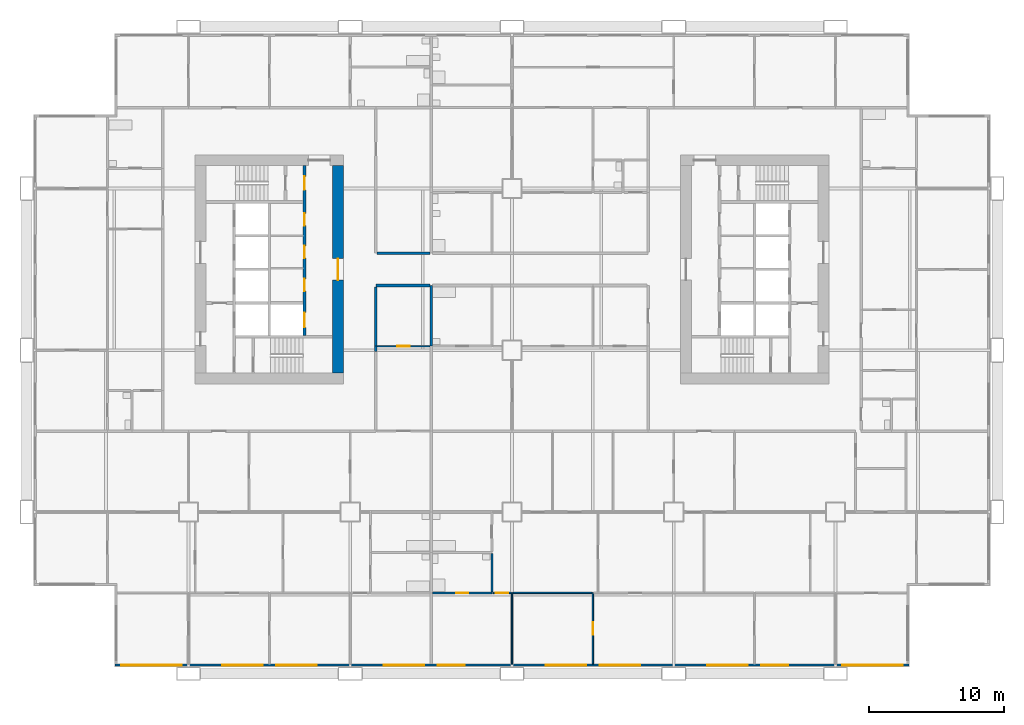
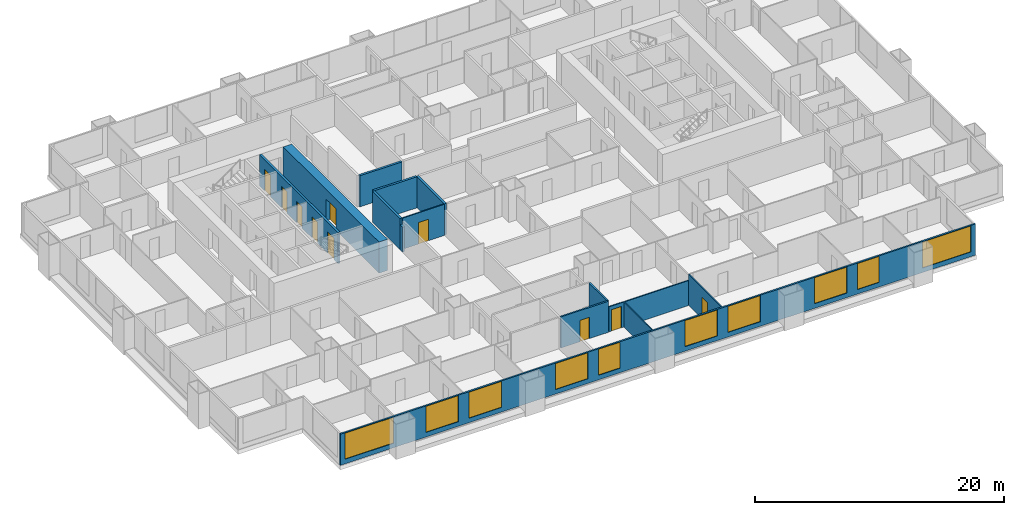
# One storey, part 4 of 13: 15 walls, 10 doors, 10 windows, 20 openings.
"""IFC4 building model written with IfcOpenShell, lengths in metres."""

from ifc_helpers import new_model, si_unit, direction, frame, frame_2d, origin, place, context, subcontext, project, spatial, rectangle, extrude, material, layer, layer_set, type_object, element, fill, save


model = new_model("IFC4")

# Units and contexts
model_context = context("Model", 3, precision=1e-05, world=origin(), true_north=direction((0.0, 1.0)))
body_context = subcontext(model_context, "Body", "Model", "MODEL_VIEW")
ifc_project = project(units=[si_unit("LENGTHUNIT", "METRE"), si_unit("AREAUNIT", "SQUARE_METRE"), si_unit("VOLUMEUNIT", "CUBIC_METRE"), si_unit("PLANEANGLEUNIT", "RADIAN"), si_unit("MASSUNIT", "GRAM", prefix="KILO")], contexts=[model_context])

# Site, building, storey
site_placement = place(None, origin())
site = spatial("IfcSite", under=ifc_project, at=site_placement, CompositionType="ELEMENT")
building_placement = place(site_placement, origin())
building = spatial("IfcBuilding", under=site, at=building_placement, Name="Kitamizu Gate Tower and Museum", CompositionType="ELEMENT")
storey_placement = place(building_placement, frame((0.0, 0.0, 47.25)))
storey = spatial("IfcBuildingStorey", under=building, at=storey_placement, Name="L10", CompositionType="ELEMENT", Elevation=47.25)

# Wall, opening, door
ifc_material_1 = material(Name="Concrete Fc60", Category="concrete")
ifc_layer_1 = layer(ifc_material_1, 0.800048828125)
ifc_layer_set_1 = layer_set([ifc_layer_1], Name="Concrete Fc60")
wall_type_1 = type_object("IfcWallType", Name="Core wall 800", PredefinedType="SHEAR", material=ifc_layer_set_1)
wall_1_placement = place(storey_placement, frame((23.10009765625, 22.300048828125, 0.0), z_axis=(0.0, 0.0, 1.0), x_axis=(0.0, 1.0, 0.0)))
wall_1 = element("IfcWall", 1, at=wall_1_placement, inside=storey, type_object=wall_type_1, Name="Core wall WARC", PredefinedType="SHEAR", context=body_context, shape_type="SweptSolid", body=[
    extrude(rectangle(XDim=15.39990234375, YDim=0.800048828125, at=frame_2d((7.699951171875, 0.0))), origin(), (0.0, 0.0, 1.0), 3.050048828125),
])
opening_1_placement = place(wall_1_placement, frame((6.89990234375, 0.0, 0.0)))
opening_1 = element("IfcOpeningElement", 2, at=opening_1_placement, cuts=wall_1, Name="Opening L10-087", PredefinedType="OPENING", context=body_context, shape_type="SweptSolid", body=[
    extrude(rectangle(XDim=1.60009765625, YDim=2.10009765625, at=frame_2d((0.800048828125, 1.050048828125))), frame((0.0, 0.41015625, 0.0), z_axis=(0.0, -1.0, 0.0), x_axis=(1.0, 0.0, 0.0)), (0.0, 0.0, 1.0), 0.820068359375),
])
ifc_material_2 = material(Name="Timber door set", Category="wood")
door_type_1 = type_object("IfcDoorType", Name="Entrance door 1600", OperationType="DOUBLE_DOOR_SINGLE_SWING", PredefinedType="DOOR", material=ifc_material_2)
door_1_placement = place(opening_1_placement, origin())
door_1 = element("IfcDoor", 3, at=door_1_placement, inside=storey, type_object=door_type_1, Name="Lobby door L10-087", OperationType="DOUBLE_DOOR_SINGLE_SWING", OverallHeight=2.10009765625, OverallWidth=1.60009765625, PredefinedType="DOOR", context=body_context, shape_type="SweptSolid", body=[
    extrude(rectangle(XDim=1.60009765625, YDim=2.10009765625, at=frame_2d((0.800048828125, 1.050048828125))), frame((0.0, 0.02490234375, 0.0), z_axis=(0.0, -1.0, 0.0), x_axis=(1.0, 0.0, 0.0)), (0.0, 0.0, 1.0), 0.050048828125),
])
fill(opening_1, door_1)

ifc_material_3 = material(Name="Gypsum board on galvanised stud")
ifc_layer_2 = layer(ifc_material_3, 0.10009765625)
ifc_layer_set_2 = layer_set([ifc_layer_2], Name="Gypsum board on galvanised stud")
wall_type_2 = type_object("IfcWallType", Name="Partition 100 NOT RATED", PredefinedType="PARTITIONING", material=ifc_layer_set_2)
wall_2_placement = place(storey_placement, frame((29.89990234375, 24.300048828125, 0.0), z_axis=(0.0, 0.0, 1.0), x_axis=(-1.0, 0.0, 0.0)))
wall_2 = element("IfcWall", 4, at=wall_2_placement, inside=storey, type_object=wall_type_2, Name="Partition L10-039", PredefinedType="PARTITIONING", context=body_context, shape_type="SweptSolid", body=[
    extrude(rectangle(XDim=3.89990234375, YDim=0.10009765625, at=frame_2d((1.949951171875, 0.0))), origin(), (0.0, 0.0, 1.0), 3.050048828125),
])
opening_2_placement = place(wall_2_placement, frame((1.5, 0.0, 0.0)))
opening_2 = element("IfcOpeningElement", 5, at=opening_2_placement, cuts=wall_2, Name="Opening L10-016", PredefinedType="OPENING", context=body_context, shape_type="SweptSolid", body=[
    extrude(rectangle(XDim=0.89990234375, YDim=2.10009765625, at=frame_2d((0.449951171875, 1.050048828125))), frame((0.0, 0.06005859375, 0.0), z_axis=(0.0, -1.0, 0.0), x_axis=(1.0, 0.0, 0.0)), (0.0, 0.0, 1.0), 0.1201171875),
])
ifc_material_4 = material(Name="Timber door set", Category="wood")
door_type_2 = type_object("IfcDoorType", Name="Room door 900", OperationType="NOTDEFINED", PredefinedType="DOOR", material=ifc_material_4)
door_2_placement = place(opening_2_placement, frame((0.89990234375, 0.0, 0.0), x_axis=(-1.0, 0.0, 0.0)))
door_2 = element("IfcDoor", 6, at=door_2_placement, inside=storey, type_object=door_type_2, Name="Door L10-016", OperationType="SINGLE_SWING_RIGHT", OverallHeight=2.10009765625, OverallWidth=0.89990234375, PredefinedType="DOOR", context=body_context, shape_type="SweptSolid", body=[
    extrude(rectangle(XDim=0.89990234375, YDim=2.10009765625, at=frame_2d((0.449951171875, 1.050048828125))), frame((0.0, 0.02490234375, 0.0), z_axis=(0.0, -1.0, 0.0), x_axis=(1.0, 0.0, 0.0)), (0.0, 0.0, 1.0), 0.050048828125),
])
fill(opening_2, door_2)

# Wall
wall_3_placement = place(storey_placement, frame((36.0, 0.719970703125, 0.0), z_axis=(0.0, 0.0, 1.0), x_axis=(0.0, 1.0, 0.0)))
element("IfcWall", 7, at=wall_3_placement, inside=storey, type_object=wall_type_2, Name="Partition L10-046", PredefinedType="PARTITIONING", context=body_context, shape_type="SweptSolid", body=[
    extrude(rectangle(XDim=5.280029296875, YDim=0.10009765625, at=frame_2d((2.64013671875, 0.0))), origin(), (0.0, 0.0, 1.0), 2.449951171875),
])

# Wall, opening, door
wall_4_placement = place(storey_placement, frame((35.949951171875, 6.0, 0.0), z_axis=(0.0, 0.0, 1.0), x_axis=(-1.0, 0.0, 0.0)))
wall_4 = element("IfcWall", 8, at=wall_4_placement, inside=storey, type_object=wall_type_2, Name="Partition L10-048", PredefinedType="PARTITIONING", context=body_context, shape_type="SweptSolid", body=[
    extrude(rectangle(XDim=1.375, YDim=0.10009765625, at=frame_2d((0.6875, 0.0))), origin(), (0.0, 0.0, 1.0), 2.449951171875),
])
opening_3_placement = place(wall_4_placement, frame((0.237548828125, 0.0, 0.0)))
opening_3 = element("IfcOpeningElement", 9, at=opening_3_placement, cuts=wall_4, Name="Opening L10-024", PredefinedType="OPENING", context=body_context, shape_type="SweptSolid", body=[
    extrude(rectangle(XDim=0.89990234375, YDim=2.10009765625, at=frame_2d((0.449951171875, 1.050048828125))), frame((0.0, 0.06005859375, 0.0), z_axis=(0.0, -1.0, 0.0), x_axis=(1.0, 0.0, 0.0)), (0.0, 0.0, 1.0), 0.1201171875),
])
door_3_placement = place(opening_3_placement, origin())
door_3 = element("IfcDoor", 10, at=door_3_placement, inside=storey, type_object=door_type_2, Name="Door L10-024", OperationType="SINGLE_SWING_RIGHT", OverallHeight=2.10009765625, OverallWidth=0.89990234375, PredefinedType="DOOR", context=body_context, shape_type="SweptSolid", body=[
    extrude(rectangle(XDim=0.89990234375, YDim=2.10009765625, at=frame_2d((0.449951171875, 1.050048828125))), frame((0.0, 0.02490234375, 0.0), z_axis=(0.0, -1.0, 0.0), x_axis=(1.0, 0.0, 0.0)), (0.0, 0.0, 1.0), 0.050048828125),
])
fill(opening_3, door_3)

wall_5_placement = place(storey_placement, frame((42.0, 0.719970703125, 0.0), z_axis=(0.0, 0.0, 1.0), x_axis=(0.0, 1.0, 0.0)))
wall_5 = element("IfcWall", 11, at=wall_5_placement, inside=storey, type_object=wall_type_2, Name="Partition L10-049", PredefinedType="PARTITIONING", context=body_context, shape_type="SweptSolid", body=[
    extrude(rectangle(XDim=5.280029296875, YDim=0.10009765625, at=frame_2d((2.64013671875, 0.0))), origin(), (0.0, 0.0, 1.0), 3.050048828125),
])
opening_4_placement = place(wall_5_placement, frame((2.18994140625, 0.0, 0.0)))
opening_4 = element("IfcOpeningElement", 12, at=opening_4_placement, cuts=wall_5, Name="Opening L10-023", PredefinedType="OPENING", context=body_context, shape_type="SweptSolid", body=[
    extrude(rectangle(XDim=0.89990234375, YDim=2.10009765625, at=frame_2d((0.449951171875, 1.050048828125))), frame((0.0, 0.06005859375, 0.0), z_axis=(0.0, -1.0, 0.0), x_axis=(1.0, 0.0, 0.0)), (0.0, 0.0, 1.0), 0.1201171875),
])
door_4_placement = place(opening_4_placement, origin())
door_4 = element("IfcDoor", 13, at=door_4_placement, inside=storey, type_object=door_type_2, Name="Door L10-023", OperationType="SINGLE_SWING_LEFT", OverallHeight=2.10009765625, OverallWidth=0.89990234375, PredefinedType="DOOR", context=body_context, shape_type="SweptSolid", body=[
    extrude(rectangle(XDim=0.89990234375, YDim=2.10009765625, at=frame_2d((0.449951171875, 1.050048828125))), frame((0.0, 0.02490234375, 0.0), z_axis=(0.0, -1.0, 0.0), x_axis=(1.0, 0.0, 0.0)), (0.0, 0.0, 1.0), 0.050048828125),
])
fill(opening_4, door_4)

# Wall
wall_6_placement = place(storey_placement, frame((41.949951171875, 6.0, 0.0), z_axis=(0.0, 0.0, 1.0), x_axis=(-1.0, 0.0, 0.0)))
element("IfcWall", 14, at=wall_6_placement, inside=storey, type_object=wall_type_2, Name="Partition L10-050", PredefinedType="PARTITIONING", context=body_context, shape_type="SweptSolid", body=[
    extrude(rectangle(XDim=5.89990234375, YDim=0.10009765625, at=frame_2d((2.949951171875, 0.0))), origin(), (0.0, 0.0, 1.0), 2.449951171875),
])

# Wall, opening, door
ifc_material_5 = material(Name="Gypsum board on galvanised stud")
ifc_layer_3 = layer(ifc_material_5, 0.14990234375)
ifc_layer_set_3 = layer_set([ifc_layer_3], Name="Gypsum board on galvanised stud")
wall_type_3 = type_object("IfcWallType", Name="Partition 150", PredefinedType="PARTITIONING", material=ifc_layer_set_3)
wall_7_placement = place(storey_placement, frame((34.5, 6.0, 0.0), z_axis=(0.0, 0.0, 1.0), x_axis=(-1.0, 0.0, 0.0)))
wall_7 = element("IfcWall", 15, at=wall_7_placement, inside=storey, type_object=wall_type_3, Name="Partition L10-047", PredefinedType="PARTITIONING", context=body_context, shape_type="SweptSolid", body=[
    extrude(rectangle(XDim=4.39990234375, YDim=0.14990234375, at=frame_2d((2.199951171875, 0.0))), origin(), (0.0, 0.0, 1.0), 3.050048828125),
])
opening_5_placement = place(wall_7_placement, frame((1.75, 0.0, 0.0)))
opening_5 = element("IfcOpeningElement", 16, at=opening_5_placement, cuts=wall_7, Name="Opening L10-026", PredefinedType="OPENING", context=body_context, shape_type="SweptSolid", body=[
    extrude(rectangle(XDim=0.89990234375, YDim=2.10009765625, at=frame_2d((0.449951171875, 1.050048828125))), frame((0.0, 0.0849609375, 0.0), z_axis=(0.0, -1.0, 0.0), x_axis=(1.0, 0.0, 0.0)), (0.0, 0.0, 1.0), 0.169921875),
])
ifc_material_6 = material(Name="Timber door set", Category="wood")
door_type_3 = type_object("IfcDoorType", Name="Bathroom door 900", OperationType="NOTDEFINED", PredefinedType="DOOR", material=ifc_material_6)
door_5_placement = place(opening_5_placement, frame((0.89990234375, 0.0, 0.0), x_axis=(-1.0, 0.0, 0.0)))
door_5 = element("IfcDoor", 17, at=door_5_placement, inside=storey, type_object=door_type_3, Name="Bathroom door L10-026", OperationType="SINGLE_SWING_RIGHT", OverallHeight=2.10009765625, OverallWidth=0.89990234375, PredefinedType="DOOR", context=body_context, shape_type="SweptSolid", body=[
    extrude(rectangle(XDim=0.89990234375, YDim=2.10009765625, at=frame_2d((0.449951171875, 1.050048828125))), frame((0.0, 0.02490234375, 0.0), z_axis=(0.0, -1.0, 0.0), x_axis=(1.0, 0.0, 0.0)), (0.0, 0.0, 1.0), 0.050048828125),
])
fill(opening_5, door_5)

# Walls
wall_8_placement = place(storey_placement, frame((34.5, 6.074951171875, 0.0), z_axis=(0.0, 0.0, 1.0), x_axis=(0.0, 1.0, 0.0)))
element("IfcWall", 18, at=wall_8_placement, inside=storey, type_object=wall_type_3, Name="Partition L10-061", PredefinedType="PARTITIONING", context=body_context, shape_type="SweptSolid", body=[
    extrude(rectangle(XDim=2.85009765625, YDim=0.14990234375, at=frame_2d((1.425048828125, 0.0))), origin(), (0.0, 0.0, 1.0), 3.050048828125),
])
ifc_material_7 = material(Name="Gypsum board on galvanised stud")
ifc_layer_4 = layer(ifc_material_7, 0.199951171875)
ifc_layer_set_4 = layer_set([ifc_layer_4], Name="Gypsum board on galvanised stud")
wall_type_4 = type_object("IfcWallType", Name="Partition 200", PredefinedType="PARTITIONING", material=ifc_layer_set_4)
wall_9_placement = place(storey_placement, frame((25.89990234375, 24.300048828125, 0.0), z_axis=(0.0, 0.0, 1.0), x_axis=(0.0, -1.0, 0.0)))
element("IfcWall", 19, at=wall_9_placement, inside=storey, type_object=wall_type_4, Name="Partition L10-041", PredefinedType="PARTITIONING", context=body_context, shape_type="SweptSolid", body=[
    extrude(rectangle(XDim=0.400146484375, YDim=0.199951171875, at=frame_2d((0.2001953125, 0.0))), origin(), (0.0, 0.0, 1.0), 2.449951171875),
])
wall_10_placement = place(storey_placement, frame((30.0, 24.300048828125, 0.0), z_axis=(0.0, 0.0, 1.0), x_axis=(0.0, 1.0, 0.0)))
element("IfcWall", 20, at=wall_10_placement, inside=storey, type_object=wall_type_4, Name="Partition L10-043", PredefinedType="PARTITIONING", context=body_context, shape_type="SweptSolid", body=[
    extrude(rectangle(XDim=4.5, YDim=0.199951171875, at=frame_2d((2.25, 0.0))), origin(), (0.0, 0.0, 1.0), 3.050048828125),
])
wall_11_placement = place(storey_placement, frame((29.89990234375, 28.800048828125, 0.0), z_axis=(0.0, 0.0, 1.0), x_axis=(-1.0, 0.0, 0.0)))
element("IfcWall", 21, at=wall_11_placement, inside=storey, type_object=wall_type_4, Name="Partition L10-044", PredefinedType="PARTITIONING", context=body_context, shape_type="SweptSolid", body=[
    extrude(rectangle(XDim=4.0, YDim=0.199951171875, at=frame_2d((2.0, 0.0))), origin(), (0.0, 0.0, 1.0), 3.050048828125),
])
wall_12_placement = place(storey_placement, frame((25.89990234375, 28.699951171875, 0.0), z_axis=(0.0, 0.0, 1.0), x_axis=(0.0, -1.0, 0.0)))
element("IfcWall", 22, at=wall_12_placement, inside=storey, type_object=wall_type_4, Name="Partition L10-045", PredefinedType="PARTITIONING", context=body_context, shape_type="SweptSolid", body=[
    extrude(rectangle(XDim=4.39990234375, YDim=0.199951171875, at=frame_2d((2.199951171875, 0.0))), origin(), (0.0, 0.0, 1.0), 3.050048828125),
])
wall_13_placement = place(storey_placement, frame((26.0, 31.199951171875, 0.0), z_axis=(0.0, 0.0, 1.0), x_axis=(1.0, 0.0, 0.0)))
element("IfcWall", 23, at=wall_13_placement, inside=storey, type_object=wall_type_4, Name="Partition L10-133", PredefinedType="PARTITIONING", context=body_context, shape_type="SweptSolid", body=[
    extrude(rectangle(XDim=3.89990234375, YDim=0.199951171875, at=frame_2d((1.949951171875, 0.0))), origin(), (0.0, 0.0, 1.0), 3.050048828125),
])

# Wall, openings, doors
ifc_material_8 = material(Name="Concrete Fc42", Category="concrete")
ifc_layer_5 = layer(ifc_material_8, 0.199951171875)
ifc_layer_set_5 = layer_set([ifc_layer_5], Name="Concrete Fc42")
wall_type_5 = type_object("IfcWallType", Name="Shaft wall 200", PredefinedType="SOLIDWALL", material=ifc_layer_set_5)
wall_14_placement = place(storey_placement, frame((20.60009765625, 25.10009765625, 0.0), z_axis=(0.0, 0.0, 1.0), x_axis=(0.0, 1.0, 0.0)))
wall_14 = element("IfcWall", 24, at=wall_14_placement, inside=storey, type_object=wall_type_5, Name="Shaft wall WEAST", PredefinedType="SOLIDWALL", context=body_context, shape_type="SweptSolid", body=[
    extrude(rectangle(XDim=12.599853515625, YDim=0.199951171875, at=frame_2d((6.2998046875, 0.0))), origin(), (0.0, 0.0, 1.0), 3.050048828125),
])
opening_6_placement = place(wall_14_placement, frame((0.60009765625, 0.0, 0.0)))
opening_6 = element("IfcOpeningElement", 25, at=opening_6_placement, cuts=wall_14, Name="Opening LD", PredefinedType="OPENING", context=body_context, shape_type="SweptSolid", body=[
    extrude(rectangle(XDim=1.10009765625, YDim=2.10009765625, at=frame_2d((0.550048828125, 1.050048828125))), frame((0.0, 0.10986328125, 0.0), z_axis=(0.0, -1.0, 0.0), x_axis=(1.0, 0.0, 0.0)), (0.0, 0.0, 1.0), 0.219970703125),
])
opening_7_placement = place(wall_14_placement, frame((10.800048828125, 0.0, 0.0)))
opening_7 = element("IfcOpeningElement", 26, at=opening_7_placement, cuts=wall_14, Name="Opening L10-081", PredefinedType="OPENING", context=body_context, shape_type="SweptSolid", body=[
    extrude(rectangle(XDim=1.0, YDim=2.10009765625, at=frame_2d((0.5, 1.050048828125))), frame((0.0, 0.10986328125, 0.0), z_axis=(0.0, -1.0, 0.0), x_axis=(1.0, 0.0, 0.0)), (0.0, 0.0, 1.0), 0.219970703125),
])
opening_8_placement = place(wall_14_placement, frame((3.291015625, 0.0, 0.0)))
opening_8 = element("IfcOpeningElement", 27, at=opening_8_placement, cuts=wall_14, Name="Opening L10-088", PredefinedType="OPENING", context=body_context, shape_type="SweptSolid", body=[
    extrude(rectangle(XDim=0.89990234375, YDim=2.10009765625, at=frame_2d((0.449951171875, 1.050048828125))), frame((0.0, 0.10986328125, 0.0), z_axis=(0.0, -1.0, 0.0), x_axis=(1.0, 0.0, 0.0)), (0.0, 0.0, 1.0), 0.219970703125),
])
opening_9_placement = place(wall_14_placement, frame((5.736572265625, 0.0, 0.0)))
opening_9 = element("IfcOpeningElement", 28, at=opening_9_placement, cuts=wall_14, Name="Opening L10-089", PredefinedType="OPENING", context=body_context, shape_type="SweptSolid", body=[
    extrude(rectangle(XDim=0.89990234375, YDim=2.10009765625, at=frame_2d((0.449951171875, 1.050048828125))), frame((0.0, 0.10986328125, 0.0), z_axis=(0.0, -1.0, 0.0), x_axis=(1.0, 0.0, 0.0)), (0.0, 0.0, 1.0), 0.219970703125),
])
opening_10_placement = place(wall_14_placement, frame((8.1455078125, 0.0, 0.0)))
opening_10 = element("IfcOpeningElement", 29, at=opening_10_placement, cuts=wall_14, Name="Opening L10-090", PredefinedType="OPENING", context=body_context, shape_type="SweptSolid", body=[
    extrude(rectangle(XDim=0.89990234375, YDim=2.10009765625, at=frame_2d((0.449951171875, 1.050048828125))), frame((0.0, 0.10986328125, 0.0), z_axis=(0.0, -1.0, 0.0), x_axis=(1.0, 0.0, 0.0)), (0.0, 0.0, 1.0), 0.219970703125),
])
ifc_material_9 = material(Name="Hollow metal door set")
door_type_4 = type_object("IfcDoorType", Name="Fire door 1000", OperationType="NOTDEFINED", PredefinedType="DOOR", material=ifc_material_9)
door_6_placement = place(opening_7_placement, origin())
door_6 = element("IfcDoor", 30, at=door_6_placement, inside=storey, type_object=door_type_4, Name="Stair lobby door L10-081", OperationType="SINGLE_SWING_RIGHT", OverallHeight=2.10009765625, OverallWidth=1.0, PredefinedType="DOOR", context=body_context, shape_type="SweptSolid", body=[
    extrude(rectangle(XDim=1.0, YDim=2.10009765625, at=frame_2d((0.5, 1.050048828125))), frame((0.0, 0.02490234375, 0.0), z_axis=(0.0, -1.0, 0.0), x_axis=(1.0, 0.0, 0.0)), (0.0, 0.0, 1.0), 0.050048828125),
])
fill(opening_7, door_6)
ifc_material_10 = material(Name="Hollow metal door set")
door_type_5 = type_object("IfcDoorType", Name="Landing door 1100", OperationType="SLIDING_TO_LEFT", PredefinedType="DOOR", material=ifc_material_10)
door_7_placement = place(opening_6_placement, origin())
door_7 = element("IfcDoor", 31, at=door_7_placement, inside=storey, type_object=door_type_5, Name="Landing door WSV1", OperationType="SLIDING_TO_LEFT", OverallHeight=2.10009765625, OverallWidth=1.10009765625, PredefinedType="DOOR", context=body_context, shape_type="SweptSolid", body=[
    extrude(rectangle(XDim=1.10009765625, YDim=2.10009765625, at=frame_2d((0.550048828125, 1.050048828125))), frame((0.0, 0.02490234375, 0.0), z_axis=(0.0, -1.0, 0.0), x_axis=(1.0, 0.0, 0.0)), (0.0, 0.0, 1.0), 0.050048828125),
])
fill(opening_6, door_7)
ifc_material_11 = material(Name="Timber door set", Category="wood")
door_type_6 = type_object("IfcDoorType", Name="Service door 900", OperationType="NOTDEFINED", PredefinedType="DOOR", material=ifc_material_11)
door_8_placement = place(opening_8_placement, origin())
door_8 = element("IfcDoor", 32, at=door_8_placement, inside=storey, type_object=door_type_6, Name="Service door L10-088", OperationType="SINGLE_SWING_RIGHT", OverallHeight=2.10009765625, OverallWidth=0.89990234375, PredefinedType="DOOR", context=body_context, shape_type="SweptSolid", body=[
    extrude(rectangle(XDim=0.89990234375, YDim=2.10009765625, at=frame_2d((0.449951171875, 1.050048828125))), frame((0.0, 0.02490234375, 0.0), z_axis=(0.0, -1.0, 0.0), x_axis=(1.0, 0.0, 0.0)), (0.0, 0.0, 1.0), 0.050048828125),
])
fill(opening_8, door_8)
door_9_placement = place(opening_9_placement, origin())
door_9 = element("IfcDoor", 33, at=door_9_placement, inside=storey, type_object=door_type_6, Name="Service door L10-089", OperationType="SINGLE_SWING_LEFT", OverallHeight=2.10009765625, OverallWidth=0.89990234375, PredefinedType="DOOR", context=body_context, shape_type="SweptSolid", body=[
    extrude(rectangle(XDim=0.89990234375, YDim=2.10009765625, at=frame_2d((0.449951171875, 1.050048828125))), frame((0.0, 0.02490234375, 0.0), z_axis=(0.0, -1.0, 0.0), x_axis=(1.0, 0.0, 0.0)), (0.0, 0.0, 1.0), 0.050048828125),
])
fill(opening_9, door_9)
door_10_placement = place(opening_10_placement, origin())
door_10 = element("IfcDoor", 34, at=door_10_placement, inside=storey, type_object=door_type_6, Name="Service door L10-090", OperationType="SINGLE_SWING_RIGHT", OverallHeight=2.10009765625, OverallWidth=0.89990234375, PredefinedType="DOOR", context=body_context, shape_type="SweptSolid", body=[
    extrude(rectangle(XDim=0.89990234375, YDim=2.10009765625, at=frame_2d((0.449951171875, 1.050048828125))), frame((0.0, 0.02490234375, 0.0), z_axis=(0.0, -1.0, 0.0), x_axis=(1.0, 0.0, 0.0)), (0.0, 0.0, 1.0), 0.050048828125),
])
fill(opening_10, door_10)

# Wall, openings, windows
ifc_material_12 = material(Name="Bronze anodised aluminium frame with insulated spandrel and tinted glass", Category="aluminium")
ifc_layer_6 = layer(ifc_material_12, 0.14990234375)
ifc_layer_set_6 = layer_set([ifc_layer_6], Name="Bronze anodised aluminium frame with insulated spandrel and tinted glass")
wall_type_6 = type_object("IfcWallType", Name="WINDOW WALL 150 BRONZE FRAME EI 30", PredefinedType="ELEMENTEDWALL", material=ifc_layer_set_6)
wall_15_placement = place(storey_placement, frame((6.56005859375, 0.635009765625, 0.0), z_axis=(0.0, 0.0, 1.0), x_axis=(1.0, 0.0, 0.0)))
wall_15 = element("IfcWall", 35, at=wall_15_placement, inside=storey, type_object=wall_type_6, Name="Window wall south L10", PredefinedType="ELEMENTEDWALL", context=body_context, shape_type="SweptSolid", body=[
    extrude(rectangle(XDim=58.8798828125, YDim=0.14990234375, at=frame_2d((29.43994140625, 0.0))), origin(), (0.0, 0.0, 1.0), 3.050048828125),
])
opening_11_placement = place(wall_15_placement, frame((0.43994140625, 0.0, 0.449951171875)))
opening_11 = element("IfcOpeningElement", 36, at=opening_11_placement, cuts=wall_15, Name="Opening W15", PredefinedType="OPENING", context=body_context, shape_type="SweptSolid", body=[
    extrude(rectangle(XDim=4.5, YDim=2.550048828125, at=frame_2d((2.25, 1.27490234375))), frame((0.0, 0.0849609375, 0.0), z_axis=(0.0, -1.0, 0.0), x_axis=(1.0, 0.0, 0.0)), (0.0, 0.0, 1.0), 0.169921875),
])
opening_12_placement = place(wall_15_placement, frame((7.93994140625, 0.0, 0.449951171875)))
opening_12 = element("IfcOpeningElement", 37, at=opening_12_placement, cuts=wall_15, Name="Opening W33", PredefinedType="OPENING", context=body_context, shape_type="SweptSolid", body=[
    extrude(rectangle(XDim=3.0, YDim=2.550048828125, at=frame_2d((1.5, 1.27490234375))), frame((0.0, 0.0849609375, 0.0), z_axis=(0.0, -1.0, 0.0), x_axis=(1.0, 0.0, 0.0)), (0.0, 0.0, 1.0), 0.169921875),
])
opening_13_placement = place(wall_15_placement, frame((11.93994140625, 0.0, 0.449951171875)))
opening_13 = element("IfcOpeningElement", 38, at=opening_13_placement, cuts=wall_15, Name="Opening W33", PredefinedType="OPENING", context=body_context, shape_type="SweptSolid", body=[
    extrude(rectangle(XDim=3.0, YDim=2.550048828125, at=frame_2d((1.5, 1.27490234375))), frame((0.0, 0.0849609375, 0.0), z_axis=(0.0, -1.0, 0.0), x_axis=(1.0, 0.0, 0.0)), (0.0, 0.0, 1.0), 0.169921875),
])
opening_14_placement = place(wall_15_placement, frame((19.93994140625, 0.0, 0.449951171875)))
opening_14 = element("IfcOpeningElement", 39, at=opening_14_placement, cuts=wall_15, Name="Opening W33", PredefinedType="OPENING", context=body_context, shape_type="SweptSolid", body=[
    extrude(rectangle(XDim=3.0, YDim=2.550048828125, at=frame_2d((1.5, 1.27490234375))), frame((0.0, 0.0849609375, 0.0), z_axis=(0.0, -1.0, 0.0), x_axis=(1.0, 0.0, 0.0)), (0.0, 0.0, 1.0), 0.169921875),
])
opening_15_placement = place(wall_15_placement, frame((23.93994140625, 0.0, 0.449951171875)))
opening_15 = element("IfcOpeningElement", 40, at=opening_15_placement, cuts=wall_15, Name="Opening W2", PredefinedType="OPENING", context=body_context, shape_type="SweptSolid", body=[
    extrude(rectangle(XDim=2.0, YDim=2.550048828125, at=frame_2d((1.0, 1.27490234375))), frame((0.0, 0.0849609375, 0.0), z_axis=(0.0, -1.0, 0.0), x_axis=(1.0, 0.0, 0.0)), (0.0, 0.0, 1.0), 0.169921875),
])
opening_16_placement = place(wall_15_placement, frame((31.93994140625, 0.0, 0.449951171875)))
opening_16 = element("IfcOpeningElement", 41, at=opening_16_placement, cuts=wall_15, Name="Opening W33", PredefinedType="OPENING", context=body_context, shape_type="SweptSolid", body=[
    extrude(rectangle(XDim=3.0, YDim=2.550048828125, at=frame_2d((1.5, 1.27490234375))), frame((0.0, 0.0849609375, 0.0), z_axis=(0.0, -1.0, 0.0), x_axis=(1.0, 0.0, 0.0)), (0.0, 0.0, 1.0), 0.169921875),
])
opening_17_placement = place(wall_15_placement, frame((35.93994140625, 0.0, 0.449951171875)))
opening_17 = element("IfcOpeningElement", 42, at=opening_17_placement, cuts=wall_15, Name="Opening W33", PredefinedType="OPENING", context=body_context, shape_type="SweptSolid", body=[
    extrude(rectangle(XDim=3.0, YDim=2.550048828125, at=frame_2d((1.5, 1.27490234375))), frame((0.0, 0.0849609375, 0.0), z_axis=(0.0, -1.0, 0.0), x_axis=(1.0, 0.0, 0.0)), (0.0, 0.0, 1.0), 0.169921875),
])
opening_18_placement = place(wall_15_placement, frame((43.93994140625, 0.0, 0.449951171875)))
opening_18 = element("IfcOpeningElement", 43, at=opening_18_placement, cuts=wall_15, Name="Opening W33", PredefinedType="OPENING", context=body_context, shape_type="SweptSolid", body=[
    extrude(rectangle(XDim=3.0, YDim=2.550048828125, at=frame_2d((1.5, 1.27490234375))), frame((0.0, 0.0849609375, 0.0), z_axis=(0.0, -1.0, 0.0), x_axis=(1.0, 0.0, 0.0)), (0.0, 0.0, 1.0), 0.169921875),
])
opening_19_placement = place(wall_15_placement, frame((47.93994140625, 0.0, 0.449951171875)))
opening_19 = element("IfcOpeningElement", 44, at=opening_19_placement, cuts=wall_15, Name="Opening W2", PredefinedType="OPENING", context=body_context, shape_type="SweptSolid", body=[
    extrude(rectangle(XDim=2.0, YDim=2.550048828125, at=frame_2d((1.0, 1.27490234375))), frame((0.0, 0.0849609375, 0.0), z_axis=(0.0, -1.0, 0.0), x_axis=(1.0, 0.0, 0.0)), (0.0, 0.0, 1.0), 0.169921875),
])
opening_20_placement = place(wall_15_placement, frame((53.93994140625, 0.0, 0.449951171875)))
opening_20 = element("IfcOpeningElement", 45, at=opening_20_placement, cuts=wall_15, Name="Opening W15", PredefinedType="OPENING", context=body_context, shape_type="SweptSolid", body=[
    extrude(rectangle(XDim=4.5, YDim=2.550048828125, at=frame_2d((2.25, 1.27490234375))), frame((0.0, 0.0849609375, 0.0), z_axis=(0.0, -1.0, 0.0), x_axis=(1.0, 0.0, 0.0)), (0.0, 0.0, 1.0), 0.169921875),
])
ifc_material_13 = material(Name="Bronze anodised aluminium frame, tinted triple glazing", Category="aluminium")
window_type_1 = type_object("IfcWindowType", Name="WINDOW 2000 x 2550 SILL 450", PartitioningType="SINGLE_PANEL", PredefinedType="WINDOW", material=ifc_material_13)
window_1_placement = place(opening_15_placement, origin())
window_1 = element("IfcWindow", 46, at=window_1_placement, inside=storey, type_object=window_type_1, Name="Window W2 L10", OverallHeight=2.550048828125, OverallWidth=2.0, PartitioningType="SINGLE_PANEL", PredefinedType="WINDOW", context=body_context, shape_type="SweptSolid", body=[
    extrude(rectangle(XDim=2.0, YDim=2.550048828125, at=frame_2d((1.0, 1.27490234375))), frame((0.0, 0.030029296875, 0.0), z_axis=(0.0, -1.0, 0.0), x_axis=(1.0, 0.0, 0.0)), (0.0, 0.0, 1.0), 0.06005859375),
])
fill(opening_15, window_1)
window_2_placement = place(opening_19_placement, origin())
window_2 = element("IfcWindow", 47, at=window_2_placement, inside=storey, type_object=window_type_1, Name="Window W2 L10", OverallHeight=2.550048828125, OverallWidth=2.0, PartitioningType="SINGLE_PANEL", PredefinedType="WINDOW", context=body_context, shape_type="SweptSolid", body=[
    extrude(rectangle(XDim=2.0, YDim=2.550048828125, at=frame_2d((1.0, 1.27490234375))), frame((0.0, 0.030029296875, 0.0), z_axis=(0.0, -1.0, 0.0), x_axis=(1.0, 0.0, 0.0)), (0.0, 0.0, 1.0), 0.06005859375),
])
fill(opening_19, window_2)
ifc_material_14 = material(Name="Bronze anodised aluminium frame, tinted triple glazing", Category="aluminium")
window_type_2 = type_object("IfcWindowType", Name="WINDOW 3000 x 2550 SILL 450", PartitioningType="SINGLE_PANEL", PredefinedType="WINDOW", material=ifc_material_14)
window_3_placement = place(opening_12_placement, origin())
window_3 = element("IfcWindow", 48, at=window_3_placement, inside=storey, type_object=window_type_2, Name="Window W33 L10", OverallHeight=2.550048828125, OverallWidth=3.0, PartitioningType="SINGLE_PANEL", PredefinedType="WINDOW", context=body_context, shape_type="SweptSolid", body=[
    extrude(rectangle(XDim=3.0, YDim=2.550048828125, at=frame_2d((1.5, 1.27490234375))), frame((0.0, 0.030029296875, 0.0), z_axis=(0.0, -1.0, 0.0), x_axis=(1.0, 0.0, 0.0)), (0.0, 0.0, 1.0), 0.06005859375),
])
fill(opening_12, window_3)
window_4_placement = place(opening_13_placement, origin())
window_4 = element("IfcWindow", 49, at=window_4_placement, inside=storey, type_object=window_type_2, Name="Window W33 L10", OverallHeight=2.550048828125, OverallWidth=3.0, PartitioningType="SINGLE_PANEL", PredefinedType="WINDOW", context=body_context, shape_type="SweptSolid", body=[
    extrude(rectangle(XDim=3.0, YDim=2.550048828125, at=frame_2d((1.5, 1.27490234375))), frame((0.0, 0.030029296875, 0.0), z_axis=(0.0, -1.0, 0.0), x_axis=(1.0, 0.0, 0.0)), (0.0, 0.0, 1.0), 0.06005859375),
])
fill(opening_13, window_4)
window_5_placement = place(opening_14_placement, origin())
window_5 = element("IfcWindow", 50, at=window_5_placement, inside=storey, type_object=window_type_2, Name="Window W33 L10", OverallHeight=2.550048828125, OverallWidth=3.0, PartitioningType="SINGLE_PANEL", PredefinedType="WINDOW", context=body_context, shape_type="SweptSolid", body=[
    extrude(rectangle(XDim=3.0, YDim=2.550048828125, at=frame_2d((1.5, 1.27490234375))), frame((0.0, 0.030029296875, 0.0), z_axis=(0.0, -1.0, 0.0), x_axis=(1.0, 0.0, 0.0)), (0.0, 0.0, 1.0), 0.06005859375),
])
fill(opening_14, window_5)
window_6_placement = place(opening_16_placement, origin())
window_6 = element("IfcWindow", 51, at=window_6_placement, inside=storey, type_object=window_type_2, Name="Window W33 L10", OverallHeight=2.550048828125, OverallWidth=3.0, PartitioningType="SINGLE_PANEL", PredefinedType="WINDOW", context=body_context, shape_type="SweptSolid", body=[
    extrude(rectangle(XDim=3.0, YDim=2.550048828125, at=frame_2d((1.5, 1.27490234375))), frame((0.0, 0.030029296875, 0.0), z_axis=(0.0, -1.0, 0.0), x_axis=(1.0, 0.0, 0.0)), (0.0, 0.0, 1.0), 0.06005859375),
])
fill(opening_16, window_6)
window_7_placement = place(opening_17_placement, origin())
window_7 = element("IfcWindow", 52, at=window_7_placement, inside=storey, type_object=window_type_2, Name="Window W33 L10", OverallHeight=2.550048828125, OverallWidth=3.0, PartitioningType="SINGLE_PANEL", PredefinedType="WINDOW", context=body_context, shape_type="SweptSolid", body=[
    extrude(rectangle(XDim=3.0, YDim=2.550048828125, at=frame_2d((1.5, 1.27490234375))), frame((0.0, 0.030029296875, 0.0), z_axis=(0.0, -1.0, 0.0), x_axis=(1.0, 0.0, 0.0)), (0.0, 0.0, 1.0), 0.06005859375),
])
fill(opening_17, window_7)
window_8_placement = place(opening_18_placement, origin())
window_8 = element("IfcWindow", 53, at=window_8_placement, inside=storey, type_object=window_type_2, Name="Window W33 L10", OverallHeight=2.550048828125, OverallWidth=3.0, PartitioningType="SINGLE_PANEL", PredefinedType="WINDOW", context=body_context, shape_type="SweptSolid", body=[
    extrude(rectangle(XDim=3.0, YDim=2.550048828125, at=frame_2d((1.5, 1.27490234375))), frame((0.0, 0.030029296875, 0.0), z_axis=(0.0, -1.0, 0.0), x_axis=(1.0, 0.0, 0.0)), (0.0, 0.0, 1.0), 0.06005859375),
])
fill(opening_18, window_8)
ifc_material_15 = material(Name="Bronze anodised aluminium frame, tinted triple glazing", Category="aluminium")
window_type_3 = type_object("IfcWindowType", Name="WINDOW 4500 x 2550 SILL 450", PartitioningType="SINGLE_PANEL", PredefinedType="WINDOW", material=ifc_material_15)
window_9_placement = place(opening_11_placement, origin())
window_9 = element("IfcWindow", 54, at=window_9_placement, inside=storey, type_object=window_type_3, Name="Window W15 L10", OverallHeight=2.550048828125, OverallWidth=4.5, PartitioningType="SINGLE_PANEL", PredefinedType="WINDOW", context=body_context, shape_type="SweptSolid", body=[
    extrude(rectangle(XDim=4.5, YDim=2.550048828125, at=frame_2d((2.25, 1.27490234375))), frame((0.0, 0.030029296875, 0.0), z_axis=(0.0, -1.0, 0.0), x_axis=(1.0, 0.0, 0.0)), (0.0, 0.0, 1.0), 0.06005859375),
])
fill(opening_11, window_9)
window_10_placement = place(opening_20_placement, origin())
window_10 = element("IfcWindow", 55, at=window_10_placement, inside=storey, type_object=window_type_3, Name="Window W15 L10", OverallHeight=2.550048828125, OverallWidth=4.5, PartitioningType="SINGLE_PANEL", PredefinedType="WINDOW", context=body_context, shape_type="SweptSolid", body=[
    extrude(rectangle(XDim=4.5, YDim=2.550048828125, at=frame_2d((2.25, 1.27490234375))), frame((0.0, 0.030029296875, 0.0), z_axis=(0.0, -1.0, 0.0), x_axis=(1.0, 0.0, 0.0)), (0.0, 0.0, 1.0), 0.06005859375),
])
fill(opening_20, window_10)

save(model, "model.ifc")
